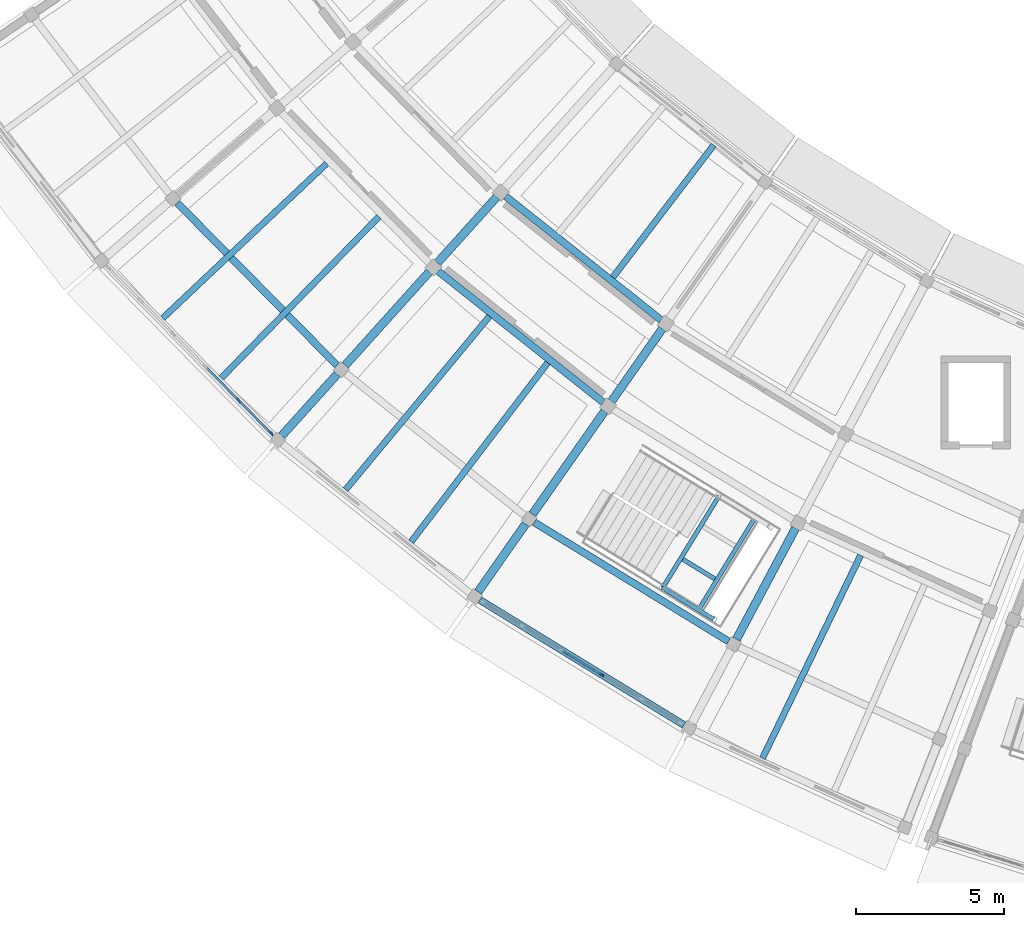
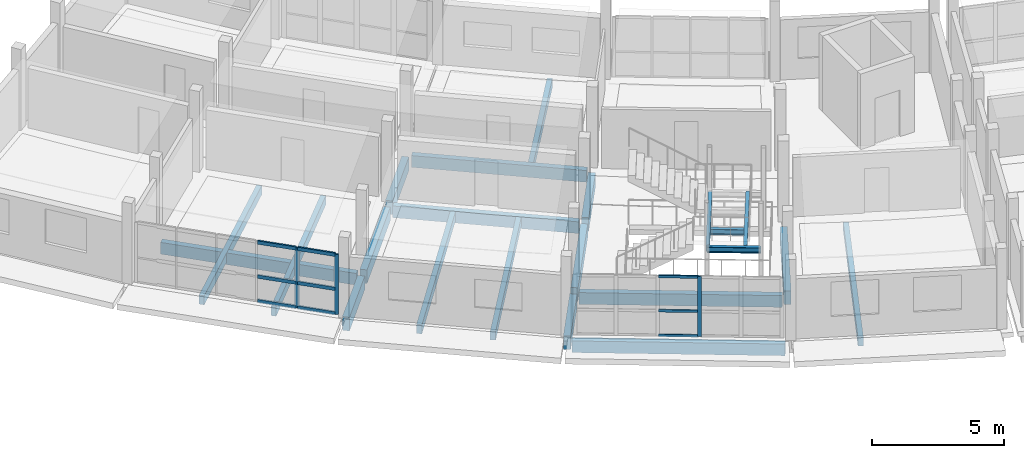
# One storey, part 20 of 77: 22 beams, 12 members, 2 elements without a shape of their own.
"""IFC4 building model written with IfcOpenShell, lengths in metres."""

from ifc_helpers import new_model, si_unit, direction, frame, origin, origin_2d, place, context, subcontext, project, spatial, rectangle, i_section, extrude, material, layer, layer_set, material_profile, profile_set, type_object, element, aggregate, save


model = new_model("IFC4")

# Units and contexts
model_context = context("Model", 3, precision=1e-05, world=origin(), true_north=direction((0.0, 1.0)))
body_context = subcontext(model_context, "Body", "Model", "MODEL_VIEW")
ifc_project = project(units=[si_unit("LENGTHUNIT", "METRE"), si_unit("AREAUNIT", "SQUARE_METRE"), si_unit("VOLUMEUNIT", "CUBIC_METRE"), si_unit("PLANEANGLEUNIT", "RADIAN"), si_unit("MASSUNIT", "GRAM", prefix="KILO")], contexts=[model_context])

# Site, building, storey
site_placement = place(None, origin())
site = spatial("IfcSite", under=ifc_project, at=site_placement, CompositionType="ELEMENT")
building_placement = place(site_placement, origin())
building = spatial("IfcBuilding", under=site, at=building_placement, Name="Caldaven Crescent School", CompositionType="ELEMENT")
storey_placement = place(building_placement, frame((0.0, 0.0, 4.419921875)))
storey = spatial("IfcBuildingStorey", under=building, at=storey_placement, Name="L01", CompositionType="ELEMENT", Elevation=4.419921875)

# Beams
ifc_material_1 = material(Name="Glulam MLE24h (GL28h)", Category="wood")
ifc_material_profile_1 = material_profile(ifc_material_1, rectangle(XDim=0.239990234375, YDim=0.5400390625, at=origin_2d()), Name="MLE 240x540")
ifc_profile_set_1 = profile_set([ifc_material_profile_1], Name="Glulam MLE24h (GL28h)")
beam_type_1 = type_object("IfcBeamType", Name="BM-GL54", PredefinedType="BEAM", material=ifc_profile_set_1)
beam_1_placement = place(storey_placement, frame((38.068603515625, 52.32421875, -0.489990234375), z_axis=(0.700921782508, -0.713238147329, 0.0), x_axis=(0.713238147329, 0.700921782508, 0.0)))
element("IfcBeam", 1, at=beam_1_placement, inside=storey, type_object=beam_type_1, Name="BMT-V4W-L01-0967", PredefinedType="BEAM", context=body_context, shape_type="SweptSolid", body=[
    extrude(rectangle(XDim=0.239990234375, YDim=0.5400390625, at=origin_2d()), origin(), (0.0, 0.0, 1.0), 7.691162109375),
])
beam_2_placement = place(storey_placement, frame((49.150146484375, 52.547119140625, -0.489990234375), z_axis=(0.782609113445, -0.622513434034, 0.0), x_axis=(0.622513434034, 0.782609113445, 0.0)))
element("IfcBeam", 2, at=beam_2_placement, inside=storey, type_object=beam_type_1, Name="BMT-V4W-L01-0974", PredefinedType="BEAM", context=body_context, shape_type="SweptSolid", body=[
    extrude(rectangle(XDim=0.239990234375, YDim=0.5400390625, at=origin_2d()), origin(), (0.0, 0.0, 1.0), 6.708251953125),
])
beam_3_placement = place(storey_placement, frame((46.875, 50.020263671875, -0.489990234375), z_axis=(0.782621166449, -0.622498280982, 0.0), x_axis=(0.622498280982, 0.782621166449, 0.0)))
element("IfcBeam", 3, at=beam_3_placement, inside=storey, type_object=beam_type_1, Name="BMT-V4W-L01-0975", PredefinedType="BEAM", context=body_context, shape_type="SweptSolid", body=[
    extrude(rectangle(XDim=0.239990234375, YDim=0.5400390625, at=origin_2d()), origin(), (0.0, 0.0, 1.0), 7.12353515625),
])
beam_4_placement = place(storey_placement, frame((50.117919921875, 41.542236328125, -0.489990234375), z_axis=(0.85263227297, -0.522511442067, 0.0), x_axis=(0.522511442067, 0.85263227297, 0.0)))
element("IfcBeam", 4, at=beam_4_placement, inside=storey, type_object=beam_type_1, Name="BMT-V4W-L01-0985", PredefinedType="BEAM", context=body_context, shape_type="SweptSolid", body=[
    extrude(rectangle(XDim=0.239990234375, YDim=0.5400390625, at=origin_2d()), origin(), (0.0, 0.0, 1.0), 7.69140625),
])
ifc_material_profile_2 = material_profile(ifc_material_1, rectangle(XDim=0.280029296875, YDim=0.6298828125, at=origin_2d()), Name="MLE 280x630")
ifc_profile_set_2 = profile_set([ifc_material_profile_2], Name="Glulam MLE24h (GL28h)")
beam_type_2 = type_object("IfcBeamType", Name="BM-GL63", PredefinedType="BEAM", material=ifc_profile_set_2)
beam_5_placement = place(storey_placement, frame((48.8525390625, 52.522216796875, -0.534912109375), z_axis=(-0.669149671668, -0.743127658554, 0.0), x_axis=(0.743127658554, -0.669149671668, 0.0)))
element("IfcBeam", 5, at=beam_5_placement, inside=storey, type_object=beam_type_2, Name="BMR-V4W-L01-0940", PredefinedType="BEAM", context=body_context, shape_type="SweptSolid", body=[
    extrude(rectangle(XDim=0.280029296875, YDim=0.6298828125, at=origin_2d()), origin(), (0.0, 0.0, 1.0), 2.989990234375),
])
beam_6_placement = place(storey_placement, frame((46.577392578125, 49.99560546875, -0.534912109375), z_axis=(-0.669142861987, -0.743133790277, 0.0), x_axis=(0.743133790277, -0.669142861987, 0.0)))
element("IfcBeam", 6, at=beam_6_placement, inside=storey, type_object=beam_type_2, Name="BMR-V4W-L01-0941", PredefinedType="BEAM", context=body_context, shape_type="SweptSolid", body=[
    extrude(rectangle(XDim=0.280029296875, YDim=0.6298828125, at=origin_2d()), origin(), (0.0, 0.0, 1.0), 4.239990234375),
])
beam_7_placement = place(storey_placement, frame((43.466064453125, 46.5400390625, -0.534912109375), z_axis=(-0.669124249402, -0.743150549258, 0.0), x_axis=(0.743150549258, -0.669124249402, 0.0)))
element("IfcBeam", 7, at=beam_7_placement, inside=storey, type_object=beam_type_2, Name="BMR-V4W-L01-0942", PredefinedType="BEAM", context=body_context, shape_type="SweptSolid", body=[
    extrude(rectangle(XDim=0.280029296875, YDim=0.6298828125, at=origin_2d()), origin(), (0.0, 0.0, 1.0), 2.7900390625),
])
beam_8_placement = place(storey_placement, frame((54.44287109375, 48.075439453125, -0.534912109375), z_axis=(-0.573550025111, -0.819170537004, 0.0), x_axis=(0.819170537004, -0.573550025111, 0.0)))
element("IfcBeam", 8, at=beam_8_placement, inside=storey, type_object=beam_type_2, Name="BMR-V4W-L01-0944", PredefinedType="BEAM", context=body_context, shape_type="SweptSolid", body=[
    extrude(rectangle(XDim=0.280029296875, YDim=0.6298828125, at=origin_2d()), origin(), (0.0, 0.0, 1.0), 2.989990234375),
])
beam_9_placement = place(storey_placement, frame((52.49267578125, 45.290283203125, -0.534912109375), z_axis=(-0.573570546438, -0.819156168419, 0.0), x_axis=(0.819156168419, -0.573570546438, 0.0)))
element("IfcBeam", 9, at=beam_9_placement, inside=storey, type_object=beam_type_2, Name="BMR-V4W-L01-0945", PredefinedType="BEAM", context=body_context, shape_type="SweptSolid", body=[
    extrude(rectangle(XDim=0.280029296875, YDim=0.6298828125, at=origin_2d()), origin(), (0.0, 0.0, 1.0), 4.239990234375),
])
beam_10_placement = place(storey_placement, frame((49.82568359375, 41.4814453125, -0.534912109375), z_axis=(-0.573556299307, -0.81916614403, 0.0), x_axis=(0.81916614403, -0.573556299307, 0.0)))
element("IfcBeam", 10, at=beam_10_placement, inside=storey, type_object=beam_type_2, Name="BMR-V4W-L01-0946", PredefinedType="BEAM", context=body_context, shape_type="SweptSolid", body=[
    extrude(rectangle(XDim=0.280029296875, YDim=0.6298828125, at=origin_2d()), origin(), (0.0, 0.0, 1.0), 2.790283203125),
])
beam_11_placement = place(storey_placement, frame((58.937255859375, 41.341064453125, -0.534912109375), z_axis=(-0.469461129132, -0.882953140452, 0.0), x_axis=(0.882953140452, -0.469461129132, 0.0)))
element("IfcBeam", 11, at=beam_11_placement, inside=storey, type_object=beam_type_2, Name="BMR-V4W-L01-0949", PredefinedType="BEAM", context=body_context, shape_type="SweptSolid", body=[
    extrude(rectangle(XDim=0.280029296875, YDim=0.6298828125, at=origin_2d()), origin(), (0.0, 0.0, 1.0), 4.239990234375),
])
ifc_material_2 = material(Name="Steel ASTM A572 Grade 50", Category="steel")
ifc_material_profile_3 = material_profile(ifc_material_2, i_section(OverallWidth=0.14599609375, OverallDepth=0.258056640625, WebThickness=0.006103515625, FlangeThickness=0.009033203125, FilletRadius=0.011962890625, at=origin_2d()), Name="W250x33")
ifc_profile_set_3 = profile_set([ifc_material_profile_3], Name="Steel ASTM A572 Grade 50")
beam_type_3 = type_object("IfcBeamType", Name="BM-W25", PredefinedType="BEAM", material=ifc_profile_set_3)
beam_12_placement = place(storey_placement, frame((54.428955078125, 39.341552734375, 1.546142578125), z_axis=(0.85267484111, -0.522441973177, 0.0), x_axis=(0.522441973177, 0.85267484111, 0.0)))
element("IfcBeam", 12, at=beam_12_placement, inside=storey, type_object=beam_type_3, Name="BM-STSIDE-ST1-L01-SL", PredefinedType="BEAM", context=body_context, shape_type="SweptSolid", body=[
    extrude(i_section(OverallWidth=0.14599609375, OverallDepth=0.258056640625, WebThickness=0.006103515625, FlangeThickness=0.009033203125, FilletRadius=0.011962890625, at=origin_2d()), origin(), (0.0, 0.0, 1.0), 2.050048828125),
])
for number, where, z_axis, x_axis, name in (
    (13, (54.45458984375, 39.325927734375, 1.546142578125), (0.522507309575, 0.852634805436, 0.0), (-0.852634805436, 0.522507309575, 0.0), "BM-STLND-ST1-L01-IN"),
    (14, (55.665283203125, 38.583984375, 1.546142578125), (0.522507309575, 0.852634805436, 0.0), (-0.852634805436, 0.522507309575, 0.0), "BM-STLND-ST1-L01-OUT"),
):
    element("IfcBeam", number, at=place(storey_placement, frame(where, z_axis=z_axis, x_axis=x_axis)), inside=storey, type_object=beam_type_3, Name=name, PredefinedType="BEAM", context=body_context, shape_type="SweptSolid", body=[
        extrude(i_section(OverallWidth=0.14599609375, OverallDepth=0.258056640625, WebThickness=0.006103515625, FlangeThickness=0.009033203125, FilletRadius=0.011962890625, at=origin_2d()), origin(), (0.0, 0.0, 1.0), 3.659912109375),
    ])

# Curtain wall, member
ifc_material_3 = material(Name="Anodised aluminium AA 6063-T6 and low-E double glazing", Category="aluminium")
ifc_layer_1 = layer(ifc_material_3, 0.2099609375)
ifc_layer_set_1 = layer_set([ifc_layer_1], Name="Anodised aluminium AA 6063-T6 and low-E double glazing")
curtain_wall_type_1 = type_object("IfcCurtainWallType", Name="CW-SYS3", PredefinedType="NOTDEFINED", material=ifc_layer_set_1)
curtain_wall_1_placement = place(storey_placement, origin())
curtain_wall_1 = element("IfcCurtainWall", 15, at=curtain_wall_1_placement, inside=storey, type_object=curtain_wall_type_1, Name="CW-L01-120", PredefinedType="NOTDEFINED")
ifc_material_4 = material(Name="Anodised aluminium AA 6063-T6", Category="aluminium")
ifc_material_profile_4 = material_profile(ifc_material_4, rectangle(XDim=0.06005859375, YDim=0.14990234375, at=origin_2d()), Name="CWM 60x150")
ifc_profile_set_4 = profile_set([ifc_material_profile_4], Name="Anodised aluminium AA 6063-T6")
member_type_1 = type_object("IfcMemberType", Name="CWM-T1", PredefinedType="MULLION", material=ifc_profile_set_4)
member_1_placement = place(storey_placement, frame((52.40087890625, 36.397216796875, 0.0), z_axis=(0.0, 0.0, 1.0), x_axis=(0.522499361435, 0.852639676124, 0.0)))
member_1 = element("IfcMember", 16, at=member_1_placement, type_object=member_type_1, Name="CW3 mullion 4", PredefinedType="MULLION", context=body_context, shape_type="SweptSolid", body=[
    extrude(rectangle(XDim=0.06005859375, YDim=0.14990234375, at=origin_2d()), origin(), (0.0, 0.0, 1.0), 2.780029296875),
])

# Curtain wall, members
ifc_layer_2 = layer(ifc_material_3, 0.169921875)
ifc_layer_set_2 = layer_set([ifc_layer_2], Name="Anodised aluminium AA 6063-T6 and low-E double glazing")
curtain_wall_type_2 = type_object("IfcCurtainWallType", Name="CW-SYS1", PredefinedType="NOTDEFINED", material=ifc_layer_set_2)
curtain_wall_2_placement = place(storey_placement, origin())
curtain_wall_2 = element("IfcCurtainWall", 17, at=curtain_wall_2_placement, inside=storey, type_object=curtain_wall_type_2, Name="CW-L01-118", PredefinedType="NOTDEFINED")
ifc_material_profile_5 = material_profile(ifc_material_4, rectangle(XDim=0.06494140625, YDim=0.179931640625, at=origin_2d()), Name="CWM 65x180")
ifc_profile_set_5 = profile_set([ifc_material_profile_5], Name="Anodised aluminium AA 6063-T6")
member_type_2 = type_object("IfcMemberType", Name="CWM-T2", PredefinedType="MULLION", material=ifc_profile_set_5)
member_2_placement = place(storey_placement, frame((40.1455078125, 45.654052734375, 0.0), z_axis=(0.0, 0.0, 1.0), x_axis=(0.713250774972, 0.700908932745, 0.0)))
member_2 = element("IfcMember", 18, at=member_2_placement, type_object=member_type_2, Name="CW1 mullion 5", PredefinedType="MULLION", context=body_context, shape_type="SweptSolid", body=[
    extrude(rectangle(XDim=0.06494140625, YDim=0.179931640625, at=origin_2d()), origin(), (0.0, 0.0, 1.0), 2.780029296875),
])
member_3_placement = place(storey_placement, frame((41.22900390625, 44.551513671875, 0.0), z_axis=(0.0, 0.0, 1.0), x_axis=(0.713250774972, 0.700908932745, 0.0)))
member_3 = element("IfcMember", 19, at=member_3_placement, type_object=member_type_2, Name="CW1 mullion 6", PredefinedType="MULLION", context=body_context, shape_type="SweptSolid", body=[
    extrude(rectangle(XDim=0.06494140625, YDim=0.179931640625, at=origin_2d()), origin(), (0.0, 0.0, 1.0), 2.780029296875),
])

# Member
ifc_material_profile_6 = material_profile(ifc_material_4, rectangle(XDim=0.06005859375, YDim=0.1201171875, at=origin_2d()), Name="CWT 60x120")
ifc_profile_set_6 = profile_set([ifc_material_profile_6], Name="Anodised aluminium AA 6063-T6")
member_type_3 = type_object("IfcMemberType", Name="CWT-T1", PredefinedType="USERDEFINED", material=ifc_profile_set_6)
member_4_placement = place(storey_placement, frame((51.080810546875, 37.2060546875, 0.030029296875), z_axis=(0.852645163538, -0.522490406702, 0.0), x_axis=(0.522490406702, 0.852645163538, 0.0)))
member_4 = element("IfcMember", 20, at=member_4_placement, type_object=member_type_3, Name="CW3 transom 3.1", ObjectType="TRANSOM", PredefinedType="USERDEFINED", context=body_context, shape_type="SweptSolid", body=[
    extrude(rectangle(XDim=0.06005859375, YDim=0.1201171875, at=origin_2d()), origin(), (0.0, 0.0, 1.0), 1.51806640625),
])

member_5_placement = place(storey_placement, frame((51.080810546875, 37.2060546875, 1.16796875), z_axis=(0.852645163538, -0.522490406702, 0.0), x_axis=(0.522490406702, 0.852645163538, 0.0)))
member_5 = element("IfcMember", 21, at=member_5_placement, type_object=member_type_3, Name="CW3 transom 3.2", ObjectType="TRANSOM", PredefinedType="USERDEFINED", context=body_context, shape_type="SweptSolid", body=[
    extrude(rectangle(XDim=0.06005859375, YDim=0.1201171875, at=origin_2d()), origin(), (0.0, 0.0, 1.0), 1.51806640625),
])

member_6_placement = place(storey_placement, frame((51.080810546875, 37.2060546875, 2.75), z_axis=(0.852645163538, -0.522490406702, 0.0), x_axis=(0.522490406702, 0.852645163538, 0.0)))
member_6 = element("IfcMember", 22, at=member_6_placement, type_object=member_type_3, Name="CW3 transom 3.3", ObjectType="TRANSOM", PredefinedType="USERDEFINED", context=body_context, shape_type="SweptSolid", body=[
    extrude(rectangle(XDim=0.06005859375, YDim=0.1201171875, at=origin_2d()), origin(), (0.0, 0.0, 1.0), 1.51806640625),
])

aggregate(curtain_wall_1, [member_1, member_4, member_5, member_6])

ifc_material_profile_7 = material_profile(ifc_material_4, rectangle(XDim=0.070068359375, YDim=0.159912109375, at=origin_2d()), Name="CWT 70x160")
ifc_profile_set_7 = profile_set([ifc_material_profile_7], Name="Anodised aluminium AA 6063-T6")
member_type_4 = type_object("IfcMemberType", Name="CWT-T3", PredefinedType="USERDEFINED", material=ifc_profile_set_7)
member_7_placement = place(storey_placement, frame((39.061767578125, 46.756591796875, 0.03515625), z_axis=(0.700949920328, -0.713210494309, 0.0), x_axis=(0.713210494309, 0.700949920328, 0.0)))
member_7 = element("IfcMember", 23, at=member_7_placement, type_object=member_type_4, Name="CW1 transom 4.1", ObjectType="TRANSOM", PredefinedType="USERDEFINED", context=body_context, shape_type="SweptSolid", body=[
    extrude(rectangle(XDim=0.070068359375, YDim=0.159912109375, at=origin_2d()), origin(), (0.0, 0.0, 1.0), 1.513427734375),
])

member_8_placement = place(storey_placement, frame((39.061767578125, 46.756591796875, 1.16796875), z_axis=(0.700949920328, -0.713210494309, 0.0), x_axis=(0.713210494309, 0.700949920328, 0.0)))
member_8 = element("IfcMember", 24, at=member_8_placement, type_object=member_type_4, Name="CW1 transom 4.2", ObjectType="TRANSOM", PredefinedType="USERDEFINED", context=body_context, shape_type="SweptSolid", body=[
    extrude(rectangle(XDim=0.070068359375, YDim=0.159912109375, at=origin_2d()), origin(), (0.0, 0.0, 1.0), 1.513427734375),
])

member_9_placement = place(storey_placement, frame((39.061767578125, 46.756591796875, 2.7451171875), z_axis=(0.700949920328, -0.713210494309, 0.0), x_axis=(0.713210494309, 0.700949920328, 0.0)))
member_9 = element("IfcMember", 25, at=member_9_placement, type_object=member_type_4, Name="CW1 transom 4.3", ObjectType="TRANSOM", PredefinedType="USERDEFINED", context=body_context, shape_type="SweptSolid", body=[
    extrude(rectangle(XDim=0.070068359375, YDim=0.159912109375, at=origin_2d()), origin(), (0.0, 0.0, 1.0), 1.513427734375),
])

member_10_placement = place(storey_placement, frame((40.168212890625, 45.630859375, 0.03515625), z_axis=(0.700896820061, -0.71326267786, 0.0), x_axis=(0.71326267786, 0.700896820061, 0.0)))
member_10 = element("IfcMember", 26, at=member_10_placement, type_object=member_type_4, Name="CW1 transom 5.1", ObjectType="TRANSOM", PredefinedType="USERDEFINED", context=body_context, shape_type="SweptSolid", body=[
    extrude(rectangle(XDim=0.070068359375, YDim=0.159912109375, at=origin_2d()), origin(), (0.0, 0.0, 1.0), 1.480712890625),
])

member_11_placement = place(storey_placement, frame((40.168212890625, 45.630859375, 1.16796875), z_axis=(0.700896820061, -0.71326267786, 0.0), x_axis=(0.71326267786, 0.700896820061, 0.0)))
member_11 = element("IfcMember", 27, at=member_11_placement, type_object=member_type_4, Name="CW1 transom 5.2", ObjectType="TRANSOM", PredefinedType="USERDEFINED", context=body_context, shape_type="SweptSolid", body=[
    extrude(rectangle(XDim=0.070068359375, YDim=0.159912109375, at=origin_2d()), origin(), (0.0, 0.0, 1.0), 1.480712890625),
])

member_12_placement = place(storey_placement, frame((40.168212890625, 45.630859375, 2.7451171875), z_axis=(0.700896820061, -0.71326267786, 0.0), x_axis=(0.71326267786, 0.700896820061, 0.0)))
member_12 = element("IfcMember", 28, at=member_12_placement, type_object=member_type_4, Name="CW1 transom 5.3", ObjectType="TRANSOM", PredefinedType="USERDEFINED", context=body_context, shape_type="SweptSolid", body=[
    extrude(rectangle(XDim=0.070068359375, YDim=0.159912109375, at=origin_2d()), origin(), (0.0, 0.0, 1.0), 1.480712890625),
])

aggregate(curtain_wall_2, [member_2, member_3, member_7, member_8, member_9, member_10, member_11, member_12])

# Beams
ifc_material_profile_8 = material_profile(ifc_material_1, rectangle(XDim=0.2099609375, YDim=0.419921875, at=origin_2d()), Name="MLE 210x420")
ifc_profile_set_8 = profile_set([ifc_material_profile_8], Name="Glulam MLE24h (GL28h)")
beam_type_4 = type_object("IfcBeamType", Name="JS-GL42", PredefinedType="JOIST", material=ifc_profile_set_8)
for number, where, z_axis, x_axis, name in (
    (29, (43.11083984375, 53.651123046875, -0.429931640625), (-0.727395768379, -0.686218184067, 0.0), (0.686218184067, -0.727395768379, 0.0), "JSR-V4W-L01-0970"),
    (30, (44.874267578125, 51.856689453125, -0.429931640625), (-0.698826608349, -0.715291109593, 0.0), (0.715291109593, -0.698826608349, 0.0), "JSR-V4W-L01-0972"),
):
    element("IfcBeam", number, at=place(storey_placement, frame(where, z_axis=z_axis, x_axis=x_axis)), inside=storey, type_object=beam_type_4, Name=name, PredefinedType="JOIST", context=body_context, shape_type="SweptSolid", body=[
        extrude(rectangle(XDim=0.2099609375, YDim=0.419921875, at=origin_2d()), origin(), (0.0, 0.0, 1.0), 7.60693359375),
    ])
beam_13_placement = place(storey_placement, frame((48.6064453125, 48.496337890625, -0.429931640625), z_axis=(-0.638316852849, -0.769773729981, 0.0), x_axis=(0.769773729981, -0.638316852849, 0.0)))
element("IfcBeam", 31, at=beam_13_placement, inside=storey, type_object=beam_type_4, Name="JSR-V4W-L01-0979", PredefinedType="JOIST", context=body_context, shape_type="SweptSolid", body=[
    extrude(rectangle(XDim=0.2099609375, YDim=0.419921875, at=origin_2d()), origin(), (0.0, 0.0, 1.0), 7.607177734375),
])
beam_14_placement = place(storey_placement, frame((56.175537109375, 54.27294921875, -0.429931640625), z_axis=(-0.606441715074, -0.795127943301, 0.0), x_axis=(0.795127943301, -0.606441715074, 0.0)))
element("IfcBeam", 32, at=beam_14_placement, inside=storey, type_object=beam_type_4, Name="JSR-V4W-L01-0980", PredefinedType="JOIST", context=body_context, shape_type="SweptSolid", body=[
    extrude(rectangle(XDim=0.2099609375, YDim=0.419921875, at=origin_2d()), origin(), (0.0, 0.0, 1.0), 5.6103515625),
])
beam_15_placement = place(storey_placement, frame((50.575439453125, 46.93017578125, -0.429931640625), z_axis=(-0.606445392969, -0.795125138168, 0.0), x_axis=(0.795125138168, -0.606445392969, 0.0)))
element("IfcBeam", 33, at=beam_15_placement, inside=storey, type_object=beam_type_4, Name="JSR-V4W-L01-0981", PredefinedType="JOIST", context=body_context, shape_type="SweptSolid", body=[
    extrude(rectangle(XDim=0.2099609375, YDim=0.419921875, at=origin_2d()), origin(), (0.0, 0.0, 1.0), 7.607177734375),
])
beam_16_placement = place(storey_placement, frame((61.136474609375, 40.428466796875, -0.429931640625), z_axis=(-0.435211145562, -0.900328417178, 0.0), x_axis=(0.900328417178, -0.435211145562, 0.0)))
element("IfcBeam", 34, at=beam_16_placement, inside=storey, type_object=beam_type_4, Name="JSR-V4W-L01-0994", PredefinedType="JOIST", context=body_context, shape_type="SweptSolid", body=[
    extrude(rectangle(XDim=0.2099609375, YDim=0.419921875, at=origin_2d()), origin(), (0.0, 0.0, 1.0), 7.6083984375),
])
ifc_material_profile_9 = material_profile(ifc_material_2, i_section(OverallWidth=0.14599609375, OverallDepth=0.258056640625, WebThickness=0.006103515625, FlangeThickness=0.009033203125, FilletRadius=0.011962890625, at=origin_2d()), Name="W250x33")
ifc_profile_set_9 = profile_set([ifc_material_profile_9], Name="Steel ASTM A572 Grade 50")
beam_type_5 = type_object("IfcBeamType", Name="LN-W25", PredefinedType="LINTEL", material=ifc_profile_set_9)
beam_17_placement = place(storey_placement, frame((55.139404296875, 40.290283203125, 1.546142578125), z_axis=(0.852581757702, -0.522593863755, 0.0), x_axis=(0.522593863755, 0.852581757702, 0.0)))
element("IfcBeam", 35, at=beam_17_placement, inside=storey, type_object=beam_type_5, Name="BM-STJST-ST1-L01-JL", PredefinedType="LINTEL", context=body_context, shape_type="SweptSolid", body=[
    extrude(i_section(OverallWidth=0.14599609375, OverallDepth=0.258056640625, WebThickness=0.006103515625, FlangeThickness=0.009033203125, FilletRadius=0.011962890625, at=origin_2d()), origin(), (0.0, 0.0, 1.0), 1.260009765625),
])
ifc_material_profile_10 = material_profile(ifc_material_1, rectangle(XDim=0.239990234375, YDim=0.5400390625, at=origin_2d()), Name="MLE 240x540")
ifc_profile_set_10 = profile_set([ifc_material_profile_10], Name="Glulam MLE24h (GL28h)")
beam_type_6 = type_object("IfcBeamType", Name="SP-GL54", PredefinedType="SPANDREL", material=ifc_profile_set_10)
beam_18_placement = place(storey_placement, frame((48.282470703125, 38.9208984375, -0.489990234375), z_axis=(0.852639021078, -0.522500430369, 0.0), x_axis=(0.522500430369, 0.852639021078, 0.0)))
element("IfcBeam", 36, at=beam_18_placement, inside=storey, type_object=beam_type_6, Name="BMT-V4W-L01-0986", PredefinedType="SPANDREL", context=body_context, shape_type="SweptSolid", body=[
    extrude(rectangle(XDim=0.239990234375, YDim=0.5400390625, at=origin_2d()), origin(), (0.0, 0.0, 1.0), 8.08203125),
])

save(model, "model.ifc")
